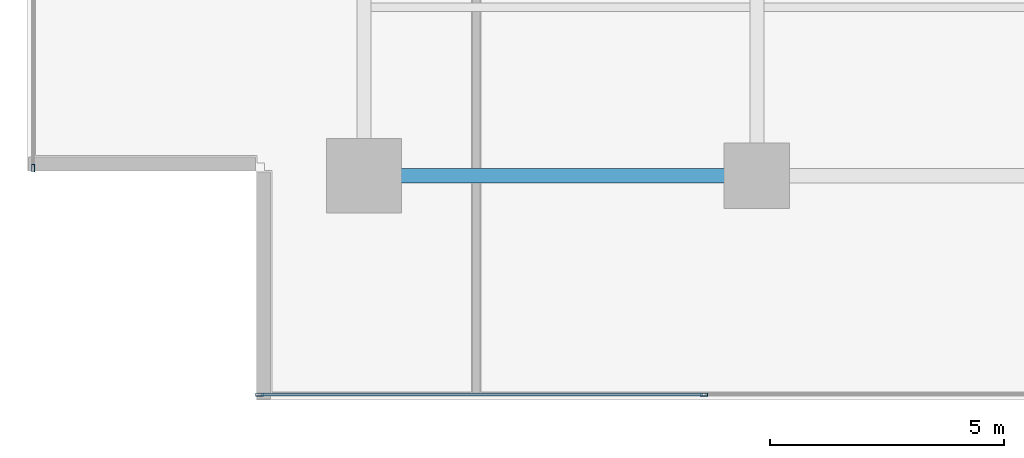
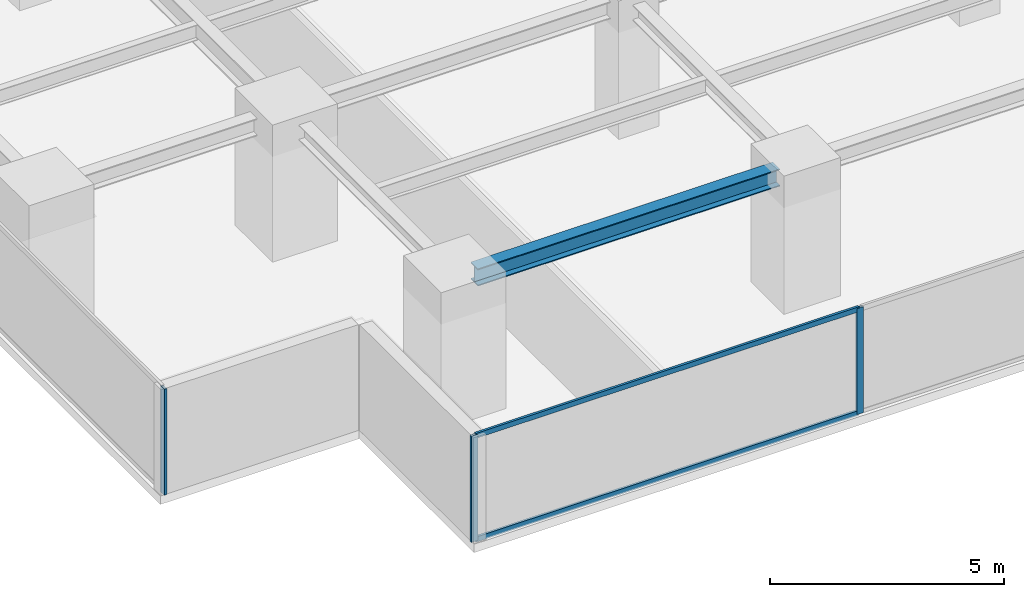
# One storey, part 2 of 27: 5 members, 1 beam, 2 elements without a shape of their own.
"""IFC4 building model written with IfcOpenShell, lengths in metres."""

from ifc_helpers import new_model, si_unit, direction, frame, origin, origin_2d, place, context, subcontext, project, spatial, hollow_rectangle, i_section, extrude, source, transform, mapped, material, layer, layer_set, material_profile, profile_set, type_object, element, aggregate, save


model = new_model("IFC4")

# Units and contexts
model_context = context("Model", 3, precision=1e-05, world=origin(), true_north=direction((0.0, 1.0)))
body_context = subcontext(model_context, "Body", "Model", "MODEL_VIEW")
ifc_project = project(units=[si_unit("LENGTHUNIT", "METRE"), si_unit("AREAUNIT", "SQUARE_METRE"), si_unit("VOLUMEUNIT", "CUBIC_METRE"), si_unit("PLANEANGLEUNIT", "RADIAN"), si_unit("MASSUNIT", "GRAM", prefix="KILO")], contexts=[model_context])

# Site, building, storey
site_placement = place(None, origin())
site = spatial("IfcSite", under=ifc_project, at=site_placement, CompositionType="ELEMENT")
building_placement = place(site_placement, origin())
building = spatial("IfcBuilding", under=site, at=building_placement, Name="Sumidabori Civic Tower", CompositionType="ELEMENT")
storey_placement = place(building_placement, frame((0.0, 0.0, 164.0)))
storey = spatial("IfcBuildingStorey", under=building, at=storey_placement, Name="L42", CompositionType="ELEMENT", Elevation=164.0)

# Beam
ifc_material_1 = material(Name="Steel SN490", Category="steel")
ifc_material_profile_1 = material_profile(ifc_material_1, i_section(OverallWidth=0.300048828125, OverallDepth=0.449951171875, WebThickness=0.013916015625, FlangeThickness=0.02587890625, at=origin_2d()), Name="HE 450 B")
ifc_profile_set_1 = profile_set([ifc_material_profile_1], Name="Steel SN490")
beam_type = type_object("IfcBeamType", Name="BM-GIRD-450", PredefinedType="BEAM", material=ifc_profile_set_1)
shared_shape_1 = source(origin(), body_context, "Body", "SweptSolid", [
    extrude(i_section(OverallWidth=0.300048828125, OverallDepth=0.449951171875, WebThickness=0.013916015625, FlangeThickness=0.02587890625, at=origin_2d()), origin(), (0.0, 0.0, 1.0), 7.440185546875),
])
beam_placement = place(storey_placement, frame((-16.320068359375, -18.0, 3.155029296875), z_axis=(1.0, 0.0, 0.0), x_axis=(0.0, 1.0, 0.0)))
element("IfcBeam", 1, at=beam_placement, inside=storey, type_object=beam_type, Name="Primary Girder L42 GX-01", PredefinedType="BEAM", context=body_context, shape_type="MappedRepresentation", body=[
    mapped(shared_shape_1, transform((0.0, 0.0, 0.0), x_axis=(1.0, 0.0, 0.0), y_axis=(0.0, 1.0, 0.0), z_axis=(0.0, 0.0, 1.0), scale=1.0)),
])

# Curtain wall, members
ifc_material_2 = material(Name="Anodised Bronze Aluminium AW-6063-T6", Category="aluminium")
ifc_layer = layer(ifc_material_2, 0.179931640625, Name="Anodised Bronze Aluminium AW-6063-T6")
ifc_layer_set = layer_set([ifc_layer], Name="Anodised Bronze Aluminium AW-6063-T6")
curtain_wall_type = type_object("IfcCurtainWallType", Name="CW-SYS-3", PredefinedType="NOTDEFINED", material=ifc_layer_set)
curtain_wall_1_placement = place(storey_placement, origin())
curtain_wall_1 = element("IfcCurtainWall", 2, at=curtain_wall_1_placement, inside=storey, type_object=curtain_wall_type, Name="Curtain Wall CW:L42:R01", PredefinedType="NOTDEFINED")
ifc_material_profile_2 = material_profile(ifc_material_2, hollow_rectangle(XDim=0.06494140625, YDim=0.159912109375, WallThickness=0.0048828125, at=origin_2d()), Name="ALU MULLION 160x65")
ifc_profile_set_2 = profile_set([ifc_material_profile_2], Name="Anodised Bronze Aluminium AW-6063-T6")
member_type_1 = type_object("IfcMemberType", Name="CW-MUL-160", PredefinedType="MULLION", material=ifc_profile_set_2)
shared_shape_2 = source(origin(), body_context, "Body", "SweptSolid", [
    extrude(hollow_rectangle(XDim=0.06494140625, YDim=0.159912109375, WallThickness=0.0048828125, at=origin_2d()), origin(), (0.0, 0.0, 1.0), 2.760009765625),
])
member_1_placement = place(storey_placement, frame((-19.03759765625, -22.679931640625, 0.0), z_axis=(0.0, 0.0, 1.0), x_axis=(0.0, 1.0, 0.0)))
member_1 = element("IfcMember", 3, at=member_1_placement, type_object=member_type_1, Name="CW-3 mullion 1", PredefinedType="MULLION", context=body_context, shape_type="MappedRepresentation", body=[
    mapped(shared_shape_2, transform((0.0, 0.0, 0.0), x_axis=(1.0, 0.0, 0.0), y_axis=(0.0, 1.0, 0.0), z_axis=(0.0, 0.0, 1.0), scale=1.0)),
])
member_2_placement = place(storey_placement, frame((-9.534912109375, -22.679931640625, 0.0), z_axis=(0.0, 0.0, 1.0), x_axis=(0.0, 1.0, 0.0)))
member_2 = element("IfcMember", 4, at=member_2_placement, type_object=member_type_1, Name="CW-3 mullion 2", PredefinedType="MULLION", context=body_context, shape_type="MappedRepresentation", body=[
    mapped(shared_shape_2, transform((0.0, 0.0, 0.0), x_axis=(1.0, 0.0, 0.0), y_axis=(0.0, 1.0, 0.0), z_axis=(0.0, 0.0, 1.0), scale=1.0)),
])

# Curtain wall, member
curtain_wall_2_placement = place(storey_placement, origin())
curtain_wall_2 = element("IfcCurtainWall", 5, at=curtain_wall_2_placement, inside=storey, type_object=curtain_wall_type, Name="Curtain Wall CW:L42:R10", PredefinedType="NOTDEFINED")
member_3_placement = place(storey_placement, frame((-23.8798828125, -17.83740234375, 0.0), z_axis=(0.0, 0.0, 1.0), x_axis=(1.0, 0.0, 0.0)))
member_3 = element("IfcMember", 6, at=member_3_placement, type_object=member_type_1, Name="CW-3 mullion 5", PredefinedType="MULLION", context=body_context, shape_type="MappedRepresentation", body=[
    mapped(shared_shape_2, transform((0.0, 0.0, 0.0), x_axis=(1.0, 0.0, 0.0), y_axis=(0.0, 1.0, 0.0), z_axis=(0.0, 0.0, 1.0), scale=1.0)),
])
aggregate(curtain_wall_2, [member_3])

# Member
ifc_material_profile_3 = material_profile(ifc_material_2, hollow_rectangle(XDim=0.06005859375, YDim=0.1298828125, WallThickness=0.0048828125, at=origin_2d()), Name="ALU TRANSOM 130x60")
ifc_profile_set_3 = profile_set([ifc_material_profile_3], Name="Anodised Bronze Aluminium AW-6063-T6")
member_type_2 = type_object("IfcMemberType", Name="CW-TRN-130", PredefinedType="USERDEFINED", material=ifc_profile_set_3)
shared_shape_3 = source(origin(), body_context, "Body", "SweptSolid", [
    extrude(hollow_rectangle(XDim=0.06005859375, YDim=0.1298828125, WallThickness=0.0048828125, at=origin_2d()), origin(), (0.0, 0.0, 1.0), 9.4375),
])
member_4_placement = place(storey_placement, frame((-19.0048828125, -22.679931640625, 0.030029296875), z_axis=(1.0, 0.0, 0.0), x_axis=(0.0, 1.0, 0.0)))
member_4 = element("IfcMember", 7, at=member_4_placement, type_object=member_type_2, Name="CW-3 transom 1.1", ObjectType="TRANSOM", PredefinedType="USERDEFINED", context=body_context, shape_type="MappedRepresentation", body=[
    mapped(shared_shape_3, transform((0.0, 0.0, 0.0), x_axis=(1.0, 0.0, 0.0), y_axis=(0.0, 1.0, 0.0), z_axis=(0.0, 0.0, 1.0), scale=1.0)),
])

member_5_placement = place(storey_placement, frame((-19.0048828125, -22.679931640625, 2.72998046875), z_axis=(1.0, 0.0, 0.0), x_axis=(0.0, 1.0, 0.0)))
member_5 = element("IfcMember", 8, at=member_5_placement, type_object=member_type_2, Name="CW-3 transom 1.2", ObjectType="TRANSOM", PredefinedType="USERDEFINED", context=body_context, shape_type="MappedRepresentation", body=[
    mapped(shared_shape_3, transform((0.0, 0.0, 0.0), x_axis=(1.0, 0.0, 0.0), y_axis=(0.0, 1.0, 0.0), z_axis=(0.0, 0.0, 1.0), scale=1.0)),
])

aggregate(curtain_wall_1, [member_1, member_2, member_4, member_5])

save(model, "model.ifc")
